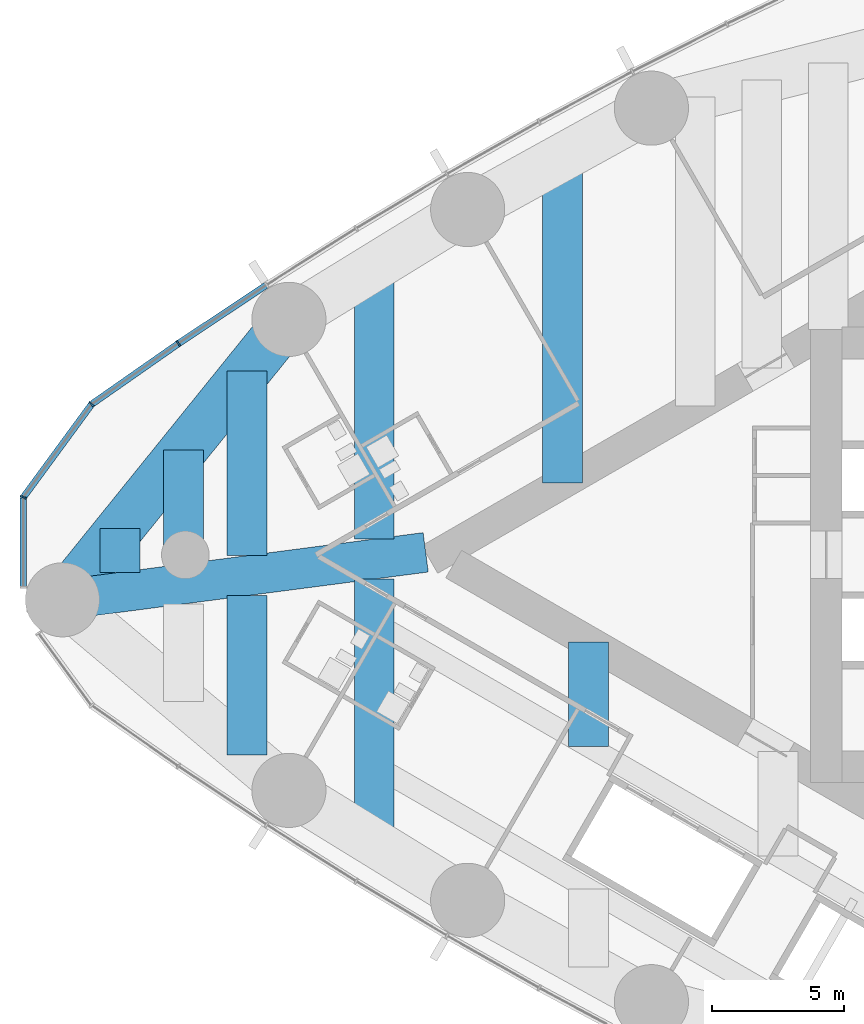
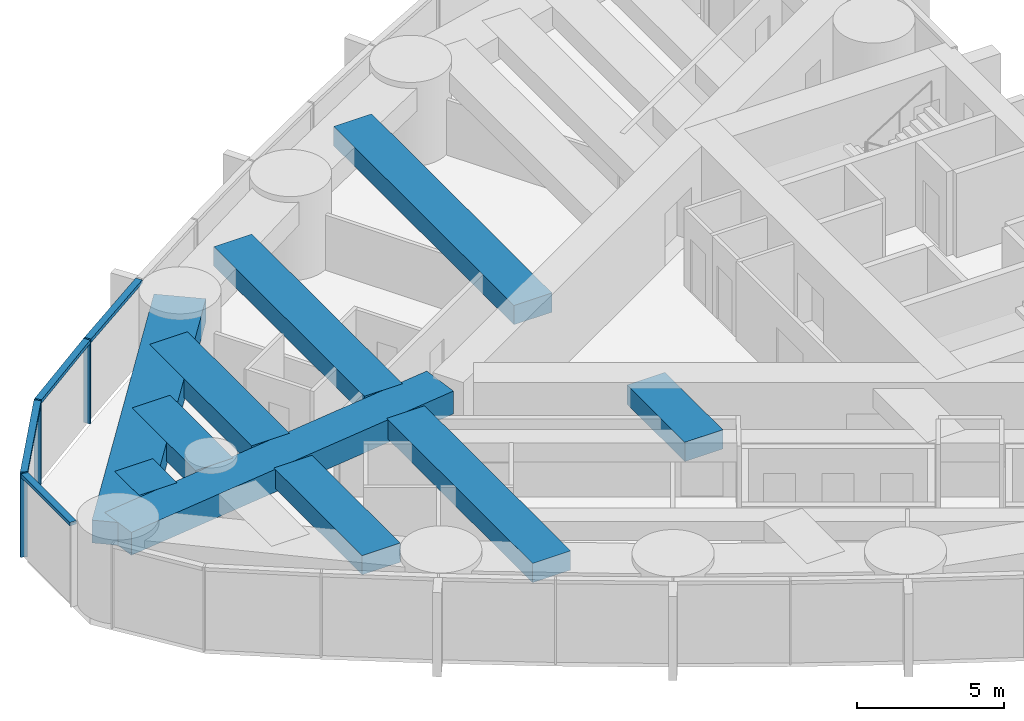
# One storey, part 3 of 19: 10 beams, 7 members, 1 element without a shape of its own.
"""IFC4 building model written with IfcOpenShell, lengths in metres."""

from ifc_helpers import new_model, si_unit, direction, frame, origin, origin_2d, place, context, subcontext, project, spatial, rectangle, extrude, material, material_profile, profile_set, type_object, element, aggregate, save


model = new_model("IFC4")

# Units and contexts
model_context = context("Model", 3, precision=1e-05, world=origin(), true_north=direction((0.0, 1.0)))
body_context = subcontext(model_context, "Body", "Model", "MODEL_VIEW")
ifc_project = project(units=[si_unit("LENGTHUNIT", "METRE"), si_unit("AREAUNIT", "SQUARE_METRE"), si_unit("VOLUMEUNIT", "CUBIC_METRE"), si_unit("PLANEANGLEUNIT", "RADIAN"), si_unit("MASSUNIT", "GRAM", prefix="KILO")], contexts=[model_context])

# Site, building, storey
site_placement = place(None, origin())
site = spatial("IfcSite", under=ifc_project, at=site_placement, CompositionType="ELEMENT")
building_placement = place(site_placement, origin())
building = spatial("IfcBuilding", under=site, at=building_placement, Name="Lancet Gate Hotel", CompositionType="ELEMENT")
storey_placement = place(building_placement, frame((0.0, 0.0, 159.800048828125)))
storey = spatial("IfcBuildingStorey", under=building, at=storey_placement, Name="L42", CompositionType="ELEMENT", Elevation=159.800048828125)

# Curtain wall, members
ifc_material_1 = material(Name="Aluminium curtain wall", Category="aluminium")
curtain_wall_type = type_object("IfcCurtainWallType", Name="Tower unitised curtain wall", PredefinedType="USERDEFINED", material=ifc_material_1)
curtain_wall_placement = place(storey_placement, origin())
curtain_wall = element("IfcCurtainWall", 1, at=curtain_wall_placement, inside=storey, type_object=curtain_wall_type, Name="T1 L42 curtain wall 2", ObjectType="UNITISED CURTAIN WALL", PredefinedType="USERDEFINED")
ifc_material_2 = material(Name="Aluminium mullion", Category="aluminium")
ifc_material_profile_1 = material_profile(ifc_material_2, rectangle(XDim=0.06494140625, YDim=0.25, at=origin_2d()), Name="MULLION 65x250")
ifc_profile_set_1 = profile_set([ifc_material_profile_1], Name="Aluminium mullion")
member_type_1 = type_object("IfcMemberType", Name="Aluminium mullion 65x250", PredefinedType="MULLION", material=ifc_profile_set_1)
member_1_placement = place(storey_placement, frame((-61.7626953125, 7.980712890625, 0.0), z_axis=(0.0, 0.0, 1.0), x_axis=(-0.826312172542, -0.563212387568, 0.0)))
member_1 = element("IfcMember", 2, at=member_1_placement, type_object=member_type_1, Name="T1 L42 curtain wall 2 mullion 10", PredefinedType="MULLION", context=body_context, shape_type="SweptSolid", body=[
    extrude(rectangle(XDim=0.06494140625, YDim=0.25, at=origin_2d()), origin(), (0.0, 0.0, 1.0), 3.5),
])
member_2_placement = place(storey_placement, frame((-65.040283203125, 5.68994140625, 0.0), z_axis=(0.0, 0.0, 1.0), x_axis=(-0.710112861968, -0.704087866155, 0.0)))
member_2 = element("IfcMember", 3, at=member_2_placement, type_object=member_type_1, Name="T1 L42 curtain wall 2 mullion 11", PredefinedType="MULLION", context=body_context, shape_type="SweptSolid", body=[
    extrude(rectangle(XDim=0.06494140625, YDim=0.25, at=origin_2d()), origin(), (0.0, 0.0, 1.0), 3.5),
])
member_3_placement = place(storey_placement, frame((-67.61572265625, 2.177490234375, 0.0), z_axis=(0.0, 0.0, 1.0), x_axis=(-0.349199411078, -0.937048435943, 0.0)))
member_3 = element("IfcMember", 4, at=member_3_placement, type_object=member_type_1, Name="T1 L42 curtain wall 2 mullion 12", PredefinedType="MULLION", context=body_context, shape_type="SweptSolid", body=[
    extrude(rectangle(XDim=0.06494140625, YDim=0.25, at=origin_2d()), origin(), (0.0, 0.0, 1.0), 3.5),
])
ifc_material_3 = material(Name="Aluminium transom", Category="aluminium")
ifc_material_profile_2 = material_profile(ifc_material_3, rectangle(XDim=0.25, YDim=0.14990234375, at=origin_2d()), Name="TRANSOM 250x150")
ifc_profile_set_2 = profile_set([ifc_material_profile_2], Name="Aluminium transom")
member_type_2 = type_object("IfcMemberType", Name="Aluminium transom 250x150", PredefinedType="USERDEFINED", material=ifc_profile_set_2)
member_4_placement = place(storey_placement, frame((-58.459228515625, 10.176025390625, 3.425048828125), z_axis=(-0.832870509189, -0.553467898729, 0.0), x_axis=(0.553467898729, -0.832870509189, 0.0)))
member_4 = element("IfcMember", 5, at=member_4_placement, type_object=member_type_2, Name="T1 L42 curtain wall 2 transom 9", ObjectType="TRANSOM", PredefinedType="USERDEFINED", context=body_context, shape_type="SweptSolid", body=[
    extrude(rectangle(XDim=0.25, YDim=0.14990234375, at=origin_2d()), origin(), (0.0, 0.0, 1.0), 3.933837890625),
])
member_5_placement = place(storey_placement, frame((-61.789306640625, 7.962158203125, 3.425048828125), z_axis=(-0.819636985462, -0.572883244704, 0.0), x_axis=(0.572883244704, -0.819636985462, 0.0)))
member_5 = element("IfcMember", 6, at=member_5_placement, type_object=member_type_2, Name="T1 L42 curtain wall 2 transom 10", ObjectType="TRANSOM", PredefinedType="USERDEFINED", context=body_context, shape_type="SweptSolid", body=[
    extrude(rectangle(XDim=0.25, YDim=0.14990234375, at=origin_2d()), origin(), (0.0, 0.0, 1.0), 3.933837890625),
])
member_6_placement = place(storey_placement, frame((-65.0595703125, 5.66357421875, 3.425048828125), z_axis=(-0.591324189618, -0.806433941977, 0.0), x_axis=(0.806433941977, -0.591324189618, 0.0)))
member_6 = element("IfcMember", 7, at=member_6_placement, type_object=member_type_2, Name="T1 L42 curtain wall 2 transom 11", ObjectType="TRANSOM", PredefinedType="USERDEFINED", context=body_context, shape_type="SweptSolid", body=[
    extrude(rectangle(XDim=0.25, YDim=0.14990234375, at=origin_2d()), origin(), (0.0, 0.0, 1.0), 4.2900390625),
])
member_7_placement = place(storey_placement, frame((-67.61572265625, 2.14501953125, 3.425048828125), z_axis=(0.0, -1.0, 0.0), x_axis=(1.0, 0.0, 0.0)))
member_7 = element("IfcMember", 8, at=member_7_placement, type_object=member_type_2, Name="T1 L42 curtain wall 2 transom 12", ObjectType="TRANSOM", PredefinedType="USERDEFINED", context=body_context, shape_type="SweptSolid", body=[
    extrude(rectangle(XDim=0.25, YDim=0.14990234375, at=origin_2d()), origin(), (0.0, 0.0, 1.0), 3.3330078125),
])
aggregate(curtain_wall, [member_1, member_2, member_3, member_4, member_5, member_6, member_7])

# Beams
ifc_material_4 = material(Name="Concrete C50/60", Category="concrete")
ifc_material_profile_3 = material_profile(ifc_material_4, rectangle(XDim=1.800048828125, YDim=0.949951171875, at=origin_2d()), Name="RC 1800x950")
ifc_profile_set_3 = profile_set([ifc_material_profile_3], Name="Concrete C50/60")
beam_type_1 = type_object("IfcBeamType", Name="Edge beam RC 1800x950", PredefinedType="SPANDREL", material=ifc_profile_set_3)
beam_1_placement = place(storey_placement, frame((-57.589599609375, 8.89306640625, 2.77490234375), z_axis=(-0.628373846765, -0.777911504416, 0.0), x_axis=(0.777911504416, -0.628373846765, 0.0)))
element("IfcBeam", 9, at=beam_1_placement, inside=storey, type_object=beam_type_1, Name="T1 edge beam EB1 L42", PredefinedType="SPANDREL", context=body_context, shape_type="SweptSolid", body=[
    extrude(rectangle(XDim=1.800048828125, YDim=0.949951171875, at=origin_2d()), origin(), (0.0, 0.0, 1.0), 13.611328125),
])
ifc_material_5 = material(Name="Concrete C50/60", Category="concrete")
ifc_material_profile_4 = material_profile(ifc_material_5, rectangle(XDim=1.5, YDim=0.800048828125, at=origin_2d()), Name="RC 1500x800")
ifc_profile_set_4 = profile_set([ifc_material_profile_4], Name="Concrete C50/60")
beam_type_2 = type_object("IfcBeamType", Name="Floor beam RC 1500x800", PredefinedType="BEAM", material=ifc_profile_set_4)
beam_2_placement = place(storey_placement, frame((-47.254638671875, 15.020751953125, 2.849853515625), z_axis=(0.0, -1.0, 0.0), x_axis=(1.0, 0.0, 0.0)))
element("IfcBeam", 10, at=beam_2_placement, inside=storey, type_object=beam_type_2, Name="T1 floor beam F09S L42", PredefinedType="BEAM", context=body_context, shape_type="SweptSolid", body=[
    extrude(rectangle(XDim=1.5, YDim=0.800048828125, at=origin_2d()), origin(), (0.0, 0.0, 1.0), 12.29931640625),
])
beam_3_placement = place(storey_placement, frame((-54.3681640625, 10.87353515625, 2.849853515625), z_axis=(0.0, -1.0, 0.0), x_axis=(1.0, 0.0, 0.0)))
element("IfcBeam", 11, at=beam_3_placement, inside=storey, type_object=beam_type_2, Name="T1 floor beam F10S L42", PredefinedType="BEAM", context=body_context, shape_type="SweptSolid", body=[
    extrude(rectangle(XDim=1.5, YDim=0.800048828125, at=origin_2d()), origin(), (0.0, 0.0, 1.0), 10.27392578125),
])
beam_4_placement = place(storey_placement, frame((-54.3681640625, -0.9130859375, 2.849853515625), z_axis=(0.0, -1.0, 0.0), x_axis=(1.0, 0.0, 0.0)))
element("IfcBeam", 12, at=beam_4_placement, inside=storey, type_object=beam_type_2, Name="T1 floor beam F11N L42", PredefinedType="BEAM", context=body_context, shape_type="SweptSolid", body=[
    extrude(rectangle(XDim=1.5, YDim=0.800048828125, at=origin_2d()), origin(), (0.0, 0.0, 1.0), 9.96044921875),
])
beam_5_placement = place(storey_placement, frame((-59.168212890625, 6.938720703125, 2.849853515625), z_axis=(0.0, -1.0, 0.0), x_axis=(1.0, 0.0, 0.0)))
element("IfcBeam", 13, at=beam_5_placement, inside=storey, type_object=beam_type_2, Name="T1 floor beam F12S L42", PredefinedType="BEAM", context=body_context, shape_type="SweptSolid", body=[
    extrude(rectangle(XDim=1.5, YDim=0.800048828125, at=origin_2d()), origin(), (0.0, 0.0, 1.0), 6.96630859375),
])
beam_6_placement = place(storey_placement, frame((-59.168212890625, -1.54052734375, 2.849853515625), z_axis=(0.0, -1.0, 0.0), x_axis=(1.0, 0.0, 0.0)))
element("IfcBeam", 14, at=beam_6_placement, inside=storey, type_object=beam_type_2, Name="T1 floor beam F13N L42", PredefinedType="BEAM", context=body_context, shape_type="SweptSolid", body=[
    extrude(rectangle(XDim=1.5, YDim=0.800048828125, at=origin_2d()), origin(), (0.0, 0.0, 1.0), 6.02392578125),
])
beam_7_placement = place(storey_placement, frame((-61.568359375, 3.967529296875, 2.849853515625), z_axis=(0.0, -1.0, 0.0), x_axis=(1.0, 0.0, 0.0)))
element("IfcBeam", 15, at=beam_7_placement, inside=storey, type_object=beam_type_2, Name="T1 floor beam F14S L42", PredefinedType="BEAM", context=body_context, shape_type="SweptSolid", body=[
    extrude(rectangle(XDim=1.5, YDim=0.800048828125, at=origin_2d()), origin(), (0.0, 0.0, 1.0), 4.308837890625),
])
beam_8_placement = place(storey_placement, frame((-63.96826171875, 0.996337890625, 2.849853515625), z_axis=(0.0, -1.0, 0.0), x_axis=(1.0, 0.0, 0.0)))
element("IfcBeam", 16, at=beam_8_placement, inside=storey, type_object=beam_type_2, Name="T1 floor beam F16S L42", PredefinedType="BEAM", context=body_context, shape_type="SweptSolid", body=[
    extrude(rectangle(XDim=1.5, YDim=0.800048828125, at=origin_2d()), origin(), (0.0, 0.0, 1.0), 1.6513671875),
])
beam_9_placement = place(storey_placement, frame((-46.27587890625, -3.28662109375, 2.849853515625), z_axis=(0.0, -1.0, 0.0), x_axis=(1.0, 0.0, 0.0)))
element("IfcBeam", 17, at=beam_9_placement, inside=storey, type_object=beam_type_2, Name="T1 floor beam F08NA L42", PredefinedType="BEAM", context=body_context, shape_type="SweptSolid", body=[
    extrude(rectangle(XDim=1.5, YDim=0.800048828125, at=origin_2d()), origin(), (0.0, 0.0, 1.0), 3.945556640625),
])
ifc_material_6 = material(Name="Concrete C50/60", Category="concrete")
ifc_material_profile_5 = material_profile(ifc_material_6, rectangle(XDim=1.5, YDim=0.949951171875, at=origin_2d()), Name="RC 1500x950")
ifc_profile_set_5 = profile_set([ifc_material_profile_5], Name="Concrete C50/60")
beam_type_3 = type_object("IfcBeamType", Name="Radial floor beam RC 1500x950", PredefinedType="BEAM", material=ifc_profile_set_5)
beam_10_placement = place(storey_placement, frame((-66.142578125, -1.6953125, 2.77490234375), z_axis=(0.991571259053, 0.129562487702, 0.0), x_axis=(-0.129562487702, 0.991571259053, 0.0)))
element("IfcBeam", 18, at=beam_10_placement, inside=storey, type_object=beam_type_3, Name="T1 radial beam CA L42", PredefinedType="BEAM", context=body_context, shape_type="SweptSolid", body=[
    extrude(rectangle(XDim=1.5, YDim=0.949951171875, at=origin_2d()), origin(), (0.0, 0.0, 1.0), 13.8349609375),
])

save(model, "model.ifc")
